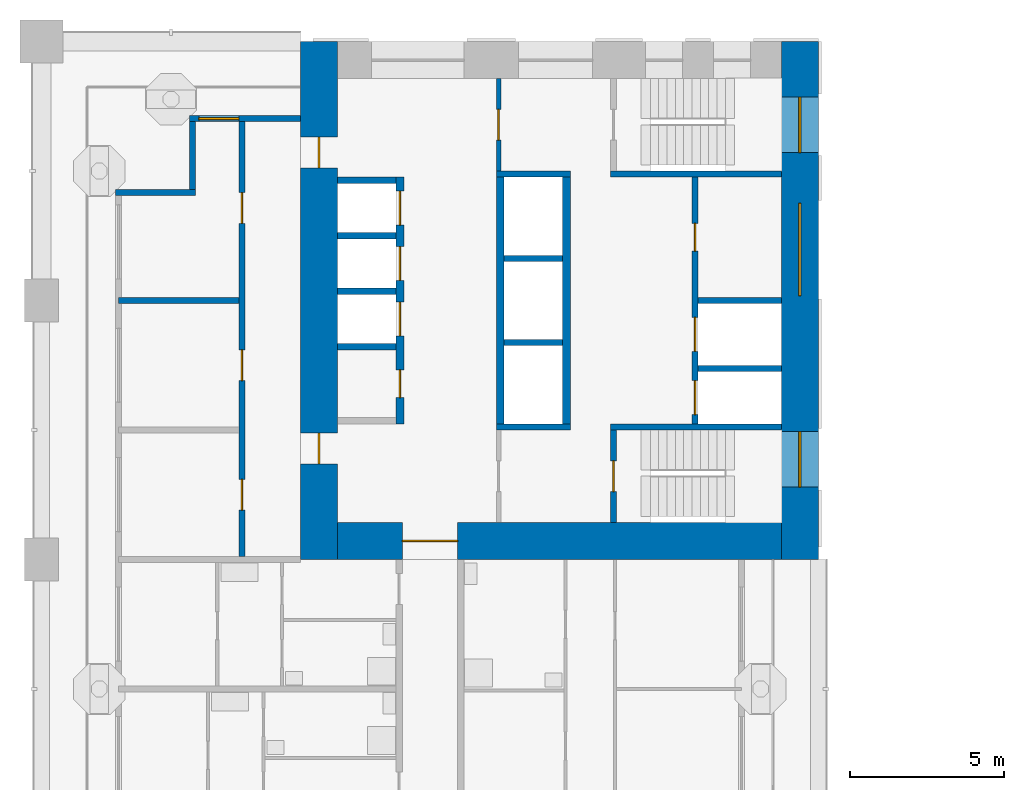
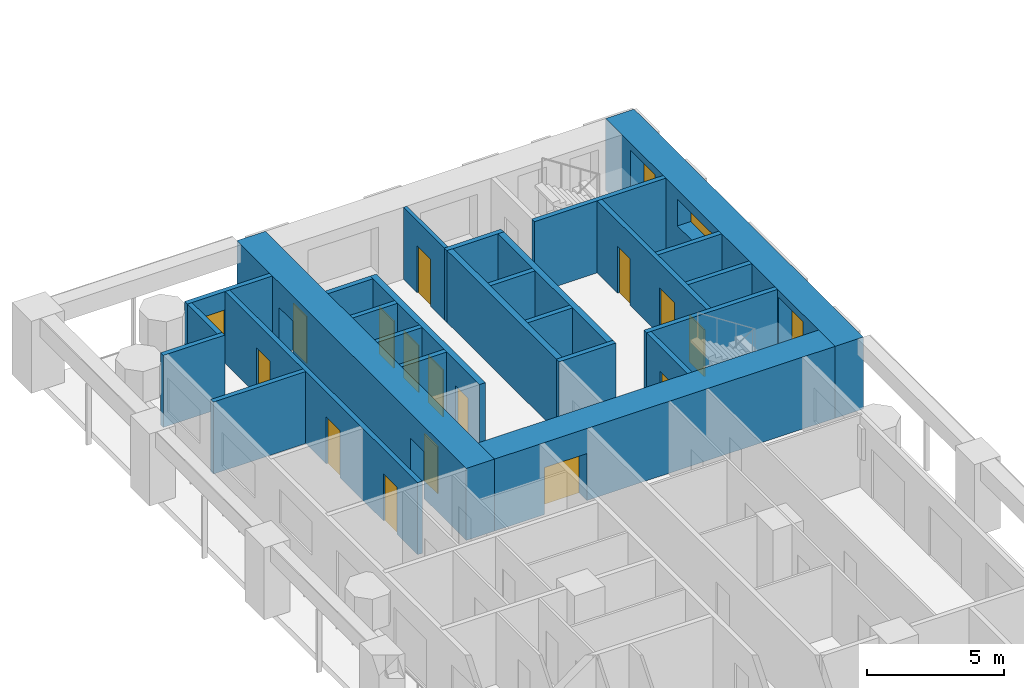
# One storey, part 9 of 23: 26 walls, 15 doors, 4 windows, 19 openings.
"""IFC4 building model written with IfcOpenShell, lengths in metres."""

import ifcopenshell
import ifcopenshell.guid

model = None  # the IFC model being written
_history = None  # IfcOwnerHistory: only IFC2X3 demands one
_inside = {}  # id of a spatial element -> (the spatial element, [elements in it])
_under = {}  # id of a project, library or spatial element -> (it, [spatial elements below it])
_declared = {}  # id of a project -> (the project, [libraries it declares])
_typed = {}  # id of a type object -> (the type object, [elements of that type])
_made_of = {}  # id of a material, layer set ... -> (it, [elements and type objects made of it])


def new_model(schema):
    """Start an empty IFC model of exactly this schema.

    Asked for "IFC4X3", IfcOpenShell would pick the latest addendum, in which some entities
    have other attributes; the version numbers below select the first issue.
    IFC2X3 requires an IfcOwnerHistory on every rooted entity: one is made here for all.
    """
    global model, _history
    if schema == "IFC4X3":
        model = ifcopenshell.file(schema_version=(4, 3, 0, 0))
    else:
        model = ifcopenshell.file(schema=schema)
    _inside.clear()
    _under.clear()
    _declared.clear()
    _typed.clear()
    _made_of.clear()
    _history = None
    if model.schema == "IFC2X3":
        org = make("IfcOrganization", Name="unknown")
        user = make(
            "IfcPersonAndOrganization",
            ThePerson=make("IfcPerson", FamilyName="unknown"),
            TheOrganization=org,
        )
        app = make(
            "IfcApplication",
            ApplicationDeveloper=org,
            Version="unknown",
            ApplicationFullName="unknown",
            ApplicationIdentifier="unknown",
        )
        _history = make(
            "IfcOwnerHistory",
            OwningUser=user,
            OwningApplication=app,
            ChangeAction="ADDED",
            CreationDate=0,
        )
    return model


def make(cls, **values):
    """One entity of the class cls with the attributes given. An attribute that is None is left unset."""
    return model.create_entity(
        cls, **{name: value for name, value in values.items() if value is not None}
    )


def rooted(cls, **values):
    """An entity with a GlobalId (a new one), such as an element, a storey or a relation."""
    return make(cls, GlobalId=ifcopenshell.guid.new(), OwnerHistory=_history, **values)


def si_unit(unit_type, name, prefix=None):
    """IfcSIUnit, for example si_unit("LENGTHUNIT", "METRE", prefix="MILLI")."""
    return make("IfcSIUnit", UnitType=unit_type, Prefix=prefix, Name=name)


def assignment(units):
    """IfcUnitAssignment: the units of a project."""
    return None if units is None else make("IfcUnitAssignment", Units=units)


def point(xyz):
    """IfcCartesianPoint."""
    return None if xyz is None else make("IfcCartesianPoint", Coordinates=xyz)


def direction(xyz):
    """IfcDirection."""
    return None if xyz is None else make("IfcDirection", DirectionRatios=xyz)


def frame(location, z_axis=None, x_axis=None):
    """IfcAxis2Placement3D, a coordinate frame: its origin and axes. An axis left out is left unset."""
    return make(
        "IfcAxis2Placement3D",
        Location=point(location),
        Axis=direction(z_axis),
        RefDirection=direction(x_axis),
    )


def frame_2d(location, x_axis=None):
    """IfcAxis2Placement2D, a coordinate frame in the plane: its origin and x axis."""
    return make(
        "IfcAxis2Placement2D", Location=point(location), RefDirection=direction(x_axis)
    )


def origin():
    """The frame at (0, 0, 0) with its axes left unset."""
    return frame((0.0, 0.0, 0.0))


def place(relative_to, where):
    """IfcLocalPlacement: puts the frame where relative to a parent placement (None: the world)."""
    return make(
        "IfcLocalPlacement", PlacementRelTo=relative_to, RelativePlacement=where
    )


def context(
    kind, dimensions, precision=None, world=None, true_north=None, identifier=None
):
    """IfcGeometricRepresentationContext, for example the 3D "Model" context."""
    return make(
        "IfcGeometricRepresentationContext",
        ContextIdentifier=identifier,
        ContextType=kind,
        CoordinateSpaceDimension=dimensions,
        Precision=precision,
        WorldCoordinateSystem=world,
        TrueNorth=true_north,
    )


def subcontext(parent, identifier, kind, view, scale=None):
    """IfcGeometricRepresentationSubContext, for example "Body" below "Model"."""
    return make(
        "IfcGeometricRepresentationSubContext",
        ContextIdentifier=identifier,
        ContextType=kind,
        ParentContext=parent,
        TargetScale=scale,
        TargetView=view,
    )


def project(units=None, contexts=None):
    """IfcProject with its units and contexts."""
    return rooted(
        "IfcProject",
        Name="project",
        RepresentationContexts=contexts,
        UnitsInContext=assignment(units),
    )


def spatial(cls, under=None, at=None, **own):
    """A site, building, storey or space (cls), placed at a placement, below another one or the project."""
    s = rooted(cls, ObjectPlacement=at, **own)
    if under is not None:
        _under.setdefault(under.id(), (under, []))[1].append(s)
    return s


def profile(cls, at=None, kind="AREA", **sizes):
    """A parametric profile (cls). Its sizes go by their IFC names, for example OverallWidth=200.0."""
    return make(cls, ProfileType=kind, Position=at, **sizes)


def rectangle(**sizes):
    """IfcRectangleProfileDef."""
    return profile("IfcRectangleProfileDef", **sizes)


def extrude(swept, where, along, depth):
    """IfcExtrudedAreaSolid: the profile swept, set in the frame where, extruded along a direction by depth."""
    return make(
        "IfcExtrudedAreaSolid",
        SweptArea=swept,
        Position=where,
        ExtrudedDirection=direction(along),
        Depth=depth,
    )


def shape(context_of_items, identifier, shape_type, items):
    """IfcShapeRepresentation: the items that make up one representation, for example the "Body"."""
    return make(
        "IfcShapeRepresentation",
        ContextOfItems=context_of_items,
        RepresentationIdentifier=identifier,
        RepresentationType=shape_type,
        Items=items,
    )


def material(Name=None, Category=None):
    """IfcMaterial."""
    return make("IfcMaterial", Name=Name, Category=Category)


def layer(
    of_material, thickness, ventilated=None, Name=None, Category=None, Priority=None
):
    """IfcMaterialLayer: one layer of a wall or slab, of a material (None: an air gap)."""
    return make(
        "IfcMaterialLayer",
        Material=of_material,
        LayerThickness=thickness,
        IsVentilated=ventilated,
        Name=Name,
        Category=Category,
        Priority=Priority,
    )


def layer_set(layers, Name=None):
    """IfcMaterialLayerSet."""
    return make("IfcMaterialLayerSet", MaterialLayers=layers, LayerSetName=Name)


def made_of(thing, what):
    """Note that an element or type object is made of a material, layer set ...; save() writes the relation."""
    if what is not None:
        _made_of.setdefault(what.id(), (what, []))[1].append(thing)
    return thing


def type_object(cls, material=None, **own):
    """A type object (cls), such as IfcWallType, which elements share."""
    return made_of(rooted(cls, **own), material)


def element(
    cls,
    number,
    at=None,
    inside=None,
    cuts=None,
    type_object=None,
    material=None,
    context=None,
    identifier="Body",
    shape_type=None,
    held_by="IfcProductDefinitionShape",
    body=None,
    shapes=None,
    **own,
):
    """One element of the class cls, such as IfcWall. Its Tag is "e" and its number.

    at: its placement. inside: the storey or other place that contains it. cuts: it is an
    opening in that element (IfcRelVoidsElement). A single representation is given by context,
    identifier, shape_type and body (its items); several are given by shapes. held_by: the class
    of the entity that holds the representations. save() writes the other relations.
    """
    e = rooted(cls, Tag="e%d" % number, ObjectPlacement=at, **own)
    if body is not None:
        shapes = [shape(context, identifier, shape_type, body)]
    if shapes is not None:
        e.Representation = make(held_by, Representations=shapes)
    if inside is not None:
        _inside.setdefault(inside.id(), (inside, []))[1].append(e)
    if cuts is not None:
        rooted(
            "IfcRelVoidsElement", RelatingBuildingElement=cuts, RelatedOpeningElement=e
        )
    if type_object is not None:
        _typed.setdefault(type_object.id(), (type_object, []))[1].append(e)
    return made_of(e, material)


def fill(opening, filler):
    """IfcRelFillsElement: the door or window that sits in an opening."""
    return rooted(
        "IfcRelFillsElement",
        RelatingOpeningElement=opening,
        RelatedBuildingElement=filler,
    )


def aggregate(whole, parts):
    """IfcRelAggregates: a whole, such as a stair, and the parts it consists of."""
    return rooted("IfcRelAggregates", RelatingObject=whole, RelatedObjects=parts)


def save(model, path):
    """Write the relations noted so far, then the file.

    IfcRelAggregates (storeys below a building ...), IfcRelContainedInSpatialStructure (elements
    in a storey), IfcRelDefinesByType, IfcRelAssociatesMaterial and IfcRelDeclares: one each for
    every whole, place, type object, material and project.
    """
    for whole, parts in _under.values():
        aggregate(whole, parts)
    for where, things in _inside.values():
        rooted(
            "IfcRelContainedInSpatialStructure",
            RelatedElements=things,
            RelatingStructure=where,
        )
    for kind, things in _typed.values():
        rooted("IfcRelDefinesByType", RelatedObjects=things, RelatingType=kind)
    for what, things in _made_of.values():
        rooted("IfcRelAssociatesMaterial", RelatedObjects=things, RelatingMaterial=what)
    for by, libraries in _declared.values():
        rooted("IfcRelDeclares", RelatingContext=by, RelatedDefinitions=libraries)
    model.write(path)


model = new_model("IFC4")

# Units and contexts
model_context = context("Model", 3, precision=1e-05, world=origin(), true_north=direction((0.0, 1.0)))
body_context = subcontext(model_context, "Body", "Model", "MODEL_VIEW")
ifc_project = project(units=[si_unit("LENGTHUNIT", "METRE"), si_unit("AREAUNIT", "SQUARE_METRE"), si_unit("VOLUMEUNIT", "CUBIC_METRE"), si_unit("PLANEANGLEUNIT", "RADIAN"), si_unit("MASSUNIT", "GRAM", prefix="KILO")], contexts=[model_context])

# Site, building, storey
site_placement = place(None, origin())
site = spatial("IfcSite", under=ifc_project, at=site_placement, CompositionType="ELEMENT")
building_placement = place(site_placement, origin())
building = spatial("IfcBuilding", under=site, at=building_placement, Name="Vermilion Gate Residences", CompositionType="ELEMENT")
storey_placement = place(building_placement, frame((0.0, 0.0, 25.199951171875)))
storey = spatial("IfcBuildingStorey", under=building, at=storey_placement, Name="L04", CompositionType="ELEMENT", Elevation=25.199951171875)

# Wall, opening, door
ifc_material_1 = material(Name="Masonry blockwork", Category="masonry")
ifc_layer_1 = layer(ifc_material_1, 0.14990234375)
ifc_layer_set_1 = layer_set([ifc_layer_1], Name="BLOCKWORK PARTITION 150 EI 120")
wall_type_1 = type_object("IfcWallType", Name="BLOCKWORK PARTITION 150 EI 120", PredefinedType="PARTITIONING", material=ifc_layer_set_1)
wall_1_placement = place(storey_placement, frame((14.824951171875, 57.60009765625, 0.0), z_axis=(0.0, 0.0, 1.0), x_axis=(0.0, -1.0, 0.0)))
wall_1 = element("IfcWall", 1, at=wall_1_placement, inside=storey, type_object=wall_type_1, Name="Core room partition B04-VW-S", PredefinedType="PARTITIONING", context=body_context, shape_type="SweptSolid", body=[
    extrude(rectangle(XDim=3.0, YDim=0.14990234375, at=frame_2d((1.5, 0.0))), origin(), (0.0, 0.0, 1.0), 3.219970703125),
])
opening_1_placement = place(wall_1_placement, frame((1.0, 0.0, 0.0)))
opening_1 = element("IfcOpeningElement", 2, at=opening_1_placement, cuts=wall_1, Name="Opening DK04111", PredefinedType="OPENING", context=body_context, shape_type="SweptSolid", body=[
    extrude(rectangle(XDim=1.0, YDim=2.10009765625, at=frame_2d((0.5, 1.050048828125))), frame((0.0, 0.0849609375, 0.0), z_axis=(0.0, -1.0, 0.0), x_axis=(1.0, 0.0, 0.0)), (0.0, 0.0, 1.0), 0.169921875),
])
ifc_material_2 = material(Name="Steel", Category="steel")
door_type_1 = type_object("IfcDoorType", Name="FIRE DOOR FD60 1000 X 2100", OperationType="SINGLE_SWING_LEFT", PredefinedType="DOOR", material=ifc_material_2)
door_1_placement = place(opening_1_placement, frame((1.0, 0.0, 0.0), z_axis=(0.0, 0.0, 1.0), x_axis=(-1.0, 0.0, 0.0)))
door_1 = element("IfcDoor", 3, at=door_1_placement, inside=storey, type_object=door_type_1, Name="Stair vestibule door B04", OperationType="SINGLE_SWING_RIGHT", OverallHeight=2.10009765625, OverallWidth=1.0, PredefinedType="DOOR", context=body_context, shape_type="SweptSolid", body=[
    extrude(rectangle(XDim=1.0, YDim=2.10009765625, at=frame_2d((0.5, 1.050048828125))), frame((0.0, 0.02490234375, 0.0), z_axis=(0.0, -1.0, 0.0), x_axis=(1.0, 0.0, 0.0)), (0.0, 0.0, 1.0), 0.050048828125),
])
fill(opening_1, door_1)

# Wall, opening, window
ifc_material_3 = material(Name="Insulated steel stud wall with terracotta rainscreen", Category="masonry")
ifc_layer_2 = layer(ifc_material_3, 0.199951171875)
ifc_layer_set_2 = layer_set([ifc_layer_2], Name="EXTERNAL WALL 200 TERRACOTTA RAINSCREEN")
wall_type_2 = type_object("IfcWallType", Name="EXTERNAL WALL 200 TERRACOTTA RAINSCREEN", PredefinedType="SOLIDWALL", material=ifc_layer_set_2)
wall_2_placement = place(storey_placement, frame((8.39990234375, 56.300048828125, 0.0), z_axis=(0.0, 0.0, 1.0), x_axis=(-1.0, 0.0, 0.0)))
wall_2 = element("IfcWall", 4, at=wall_2_placement, inside=storey, type_object=wall_type_2, Name="External wall", PredefinedType="SOLIDWALL", context=body_context, shape_type="SweptSolid", body=[
    extrude(rectangle(XDim=3.599853515625, YDim=0.199951171875, at=frame_2d((1.7998046875, 0.0))), origin(), (0.0, 0.0, 1.0), 3.219970703125),
])
opening_2_placement = place(wall_2_placement, frame((2.0, 0.0, 0.89990234375)))
opening_2 = element("IfcOpeningElement", 5, at=opening_2_placement, cuts=wall_2, Name="Opening WE04001", PredefinedType="OPENING", context=body_context, shape_type="SweptSolid", body=[
    extrude(rectangle(XDim=1.300048828125, YDim=1.5, at=frame_2d((0.64990234375, 0.75))), frame((0.0, 0.10986328125, 0.0), z_axis=(0.0, -1.0, 0.0), x_axis=(1.0, 0.0, 0.0)), (0.0, 0.0, 1.0), 0.219970703125),
])
ifc_material_4 = material(Name="Aluminium and clear glass", Category="aluminium")
window_type_1 = type_object("IfcWindowType", Name="WINDOW 1300 X 1500", PartitioningType="SINGLE_PANEL", PredefinedType="WINDOW", material=ifc_material_4)
window_1_placement = place(opening_2_placement, origin())
window_1 = element("IfcWindow", 6, at=window_1_placement, inside=storey, type_object=window_type_1, Name="Window", OverallHeight=1.5, OverallWidth=1.300048828125, PartitioningType="SINGLE_PANEL", PredefinedType="WINDOW", context=body_context, shape_type="SweptSolid", body=[
    extrude(rectangle(XDim=1.300048828125, YDim=1.5, at=frame_2d((0.64990234375, 0.75))), frame((0.0, 0.030029296875, 0.0), z_axis=(0.0, -1.0, 0.0), x_axis=(1.0, 0.0, 0.0)), (0.0, 0.0, 1.0), 0.06005859375),
])
fill(opening_2, window_1)

# Walls
wall_3_placement = place(storey_placement, frame((4.89990234375, 56.199951171875, 0.0), z_axis=(0.0, 0.0, 1.0), x_axis=(0.0, -1.0, 0.0)))
element("IfcWall", 7, at=wall_3_placement, inside=storey, type_object=wall_type_2, Name="External wall", PredefinedType="SOLIDWALL", context=body_context, shape_type="SweptSolid", body=[
    extrude(rectangle(XDim=2.199951171875, YDim=0.199951171875, at=frame_2d((1.10009765625, 0.0))), origin(), (0.0, 0.0, 1.0), 3.219970703125),
])
wall_4_placement = place(storey_placement, frame((5.0, 53.89990234375, 0.0), z_axis=(0.0, 0.0, 1.0), x_axis=(-1.0, 0.0, 0.0)))
element("IfcWall", 8, at=wall_4_placement, inside=storey, type_object=wall_type_2, Name="External wall", PredefinedType="SOLIDWALL", context=body_context, shape_type="SweptSolid", body=[
    extrude(rectangle(XDim=2.60009765625, YDim=0.199951171875, at=frame_2d((1.300048828125, 0.0))), origin(), (0.0, 0.0, 1.0), 3.219970703125),
])
ifc_material_5 = material(Name="Fire-rated plasterboard on steel studs", Category="steel")
ifc_layer_3 = layer(ifc_material_5, 0.199951171875)
ifc_layer_set_3 = layer_set([ifc_layer_3], Name="PARTY WALL 200 EI 120")
wall_type_3 = type_object("IfcWallType", Name="PARTY WALL 200 EI 120", PredefinedType="PARTITIONING", material=ifc_layer_set_3)
wall_5_placement = place(storey_placement, frame((2.5, 50.39990234375, 0.0), z_axis=(0.0, 0.0, 1.0), x_axis=(1.0, 0.0, 0.0)))
element("IfcWall", 9, at=wall_5_placement, inside=storey, type_object=wall_type_3, Name="Party and corridor wall", PredefinedType="PARTITIONING", context=body_context, shape_type="SweptSolid", body=[
    extrude(rectangle(XDim=3.89990234375, YDim=0.199951171875, at=frame_2d((1.949951171875, 0.0))), origin(), (0.0, 0.0, 1.0), 3.219970703125),
])

# Wall, openings, doors
wall_6_placement = place(storey_placement, frame((6.5, 42.10009765625, 0.0), z_axis=(0.0, 0.0, 1.0), x_axis=(0.0, 1.0, 0.0)))
wall_6 = element("IfcWall", 10, at=wall_6_placement, inside=storey, type_object=wall_type_3, Name="Party and corridor wall", PredefinedType="PARTITIONING", context=body_context, shape_type="SweptSolid", body=[
    extrude(rectangle(XDim=14.199951171875, YDim=0.199951171875, at=frame_2d((7.10009765625, 0.0))), origin(), (0.0, 0.0, 1.0), 3.219970703125),
])
opening_3_placement = place(wall_6_placement, frame((1.5, 0.0, 0.0)))
opening_3 = element("IfcOpeningElement", 11, at=opening_3_placement, cuts=wall_6, Name="Opening DA04035", PredefinedType="OPENING", context=body_context, shape_type="SweptSolid", body=[
    extrude(rectangle(XDim=1.0, YDim=2.10009765625, at=frame_2d((0.5, 1.050048828125))), frame((0.0, 0.10986328125, 0.0), z_axis=(0.0, -1.0, 0.0), x_axis=(1.0, 0.0, 0.0)), (0.0, 0.0, 1.0), 0.219970703125),
])
opening_4_placement = place(wall_6_placement, frame((5.699951171875, 0.0, 0.0)))
opening_4 = element("IfcOpeningElement", 12, at=opening_4_placement, cuts=wall_6, Name="Opening DA04036", PredefinedType="OPENING", context=body_context, shape_type="SweptSolid", body=[
    extrude(rectangle(XDim=1.0, YDim=2.10009765625, at=frame_2d((0.5, 1.050048828125))), frame((0.0, 0.10986328125, 0.0), z_axis=(0.0, -1.0, 0.0), x_axis=(1.0, 0.0, 0.0)), (0.0, 0.0, 1.0), 0.219970703125),
])
opening_5_placement = place(wall_6_placement, frame((10.800048828125, 0.0, 0.0)))
opening_5 = element("IfcOpeningElement", 13, at=opening_5_placement, cuts=wall_6, Name="Opening DA04037", PredefinedType="OPENING", context=body_context, shape_type="SweptSolid", body=[
    extrude(rectangle(XDim=1.0, YDim=2.10009765625, at=frame_2d((0.5, 1.050048828125))), frame((0.0, 0.10986328125, 0.0), z_axis=(0.0, -1.0, 0.0), x_axis=(1.0, 0.0, 0.0)), (0.0, 0.0, 1.0), 0.219970703125),
])
ifc_material_6 = material(Name="Steel", Category="steel")
door_type_2 = type_object("IfcDoorType", Name="ENTRANCE DOOR 1000 X 2100 FD30", OperationType="SINGLE_SWING_LEFT", PredefinedType="DOOR", material=ifc_material_6)
door_2_placement = place(opening_3_placement, origin())
door_2 = element("IfcDoor", 14, at=door_2_placement, inside=storey, type_object=door_type_2, Name="Entrance door", OperationType="SINGLE_SWING_LEFT", OverallHeight=2.10009765625, OverallWidth=1.0, PredefinedType="DOOR", context=body_context, shape_type="SweptSolid", body=[
    extrude(rectangle(XDim=1.0, YDim=2.10009765625, at=frame_2d((0.5, 1.050048828125))), frame((0.0, 0.02490234375, 0.0), z_axis=(0.0, -1.0, 0.0), x_axis=(1.0, 0.0, 0.0)), (0.0, 0.0, 1.0), 0.050048828125),
])
fill(opening_3, door_2)
door_3_placement = place(opening_4_placement, origin())
door_3 = element("IfcDoor", 15, at=door_3_placement, inside=storey, type_object=door_type_2, Name="Entrance door", OperationType="SINGLE_SWING_RIGHT", OverallHeight=2.10009765625, OverallWidth=1.0, PredefinedType="DOOR", context=body_context, shape_type="SweptSolid", body=[
    extrude(rectangle(XDim=1.0, YDim=2.10009765625, at=frame_2d((0.5, 1.050048828125))), frame((0.0, 0.02490234375, 0.0), z_axis=(0.0, -1.0, 0.0), x_axis=(1.0, 0.0, 0.0)), (0.0, 0.0, 1.0), 0.050048828125),
])
fill(opening_4, door_3)
door_4_placement = place(opening_5_placement, origin())
door_4 = element("IfcDoor", 16, at=door_4_placement, inside=storey, type_object=door_type_2, Name="Entrance door", OperationType="SINGLE_SWING_RIGHT", OverallHeight=2.10009765625, OverallWidth=1.0, PredefinedType="DOOR", context=body_context, shape_type="SweptSolid", body=[
    extrude(rectangle(XDim=1.0, YDim=2.10009765625, at=frame_2d((0.5, 1.050048828125))), frame((0.0, 0.02490234375, 0.0), z_axis=(0.0, -1.0, 0.0), x_axis=(1.0, 0.0, 0.0)), (0.0, 0.0, 1.0), 0.050048828125),
])
fill(opening_5, door_4)

# Walls
ifc_material_7 = material(Name="Concrete C60", Category="concrete")
ifc_layer_4 = layer(ifc_material_7, 0.199951171875)
ifc_layer_set_4 = layer_set([ifc_layer_4], Name="RC CORE INTERNAL WALL 200 C60")
wall_type_4 = type_object("IfcWallType", Name="RC CORE INTERNAL WALL 200 C60", PredefinedType="SHEAR", material=ifc_layer_set_4)
for number, where, z_axis, x_axis, name in (
    (17, (9.60009765625, 54.300048828125, 0.0), (0.0, 0.0, 1.0), (1.0, 0.0, 0.0), "Core internal wall B04-LR-D0"),
    (18, (9.60009765625, 52.5, 0.0), (0.0, 0.0, 1.0), (1.0, 0.0, 0.0), "Core internal wall B04-LR-D1"),
    (19, (9.60009765625, 50.699951171875, 0.0), (0.0, 0.0, 1.0), (1.0, 0.0, 0.0), "Core internal wall B04-LR-D2"),
    (20, (9.60009765625, 48.89990234375, 0.0), (0.0, 0.0, 1.0), (1.0, 0.0, 0.0), "Core internal wall B04-LR-D3"),
    (21, (15.0, 51.7666015625, 0.0), (0.0, 0.0, 1.0), (1.0, 0.0, 0.0), "Core internal wall B04-HR-D1"),
    (22, (15.0, 49.033447265625, 0.0), (0.0, 0.0, 1.0), (1.0, 0.0, 0.0), "Core internal wall B04-HR-D2"),
):
    element("IfcWall", number, at=place(storey_placement, frame(where, z_axis=z_axis, x_axis=x_axis)), inside=storey, type_object=wall_type_4, Name=name, PredefinedType="SHEAR", context=body_context, shape_type="SweptSolid", body=[
        extrude(rectangle(XDim=1.89990234375, YDim=0.199951171875, at=frame_2d((0.949951171875, 0.0))), origin(), (0.0, 0.0, 1.0), 3.219970703125),
    ])
for number, where, z_axis, x_axis, name in (
    (23, (21.300048828125, 50.39990234375, 0.0), (0.0, 0.0, 1.0), (1.0, 0.0, 0.0), "Core internal wall B04-FF-D0"),
    (24, (21.300048828125, 48.199951171875, 0.0), (0.0, 0.0, 1.0), (1.0, 0.0, 0.0), "Core internal wall B04-FF-D1"),
):
    element("IfcWall", number, at=place(storey_placement, frame(where, z_axis=z_axis, x_axis=x_axis)), inside=storey, type_object=wall_type_4, Name=name, PredefinedType="SHEAR", context=body_context, shape_type="SweptSolid", body=[
        extrude(rectangle(XDim=2.699951171875, YDim=0.199951171875, at=frame_2d((1.35009765625, 0.0))), origin(), (0.0, 0.0, 1.0), 3.219970703125),
    ])

# Wall, openings, doors
wall_7_placement = place(storey_placement, frame((21.199951171875, 54.39990234375, 0.0), z_axis=(0.0, 0.0, 1.0), x_axis=(0.0, -1.0, 0.0)))
wall_7 = element("IfcWall", 25, at=wall_7_placement, inside=storey, type_object=wall_type_4, Name="Core internal wall B04-FF-F", PredefinedType="SHEAR", context=body_context, shape_type="SweptSolid", body=[
    extrude(rectangle(XDim=8.0, YDim=0.199951171875, at=frame_2d((4.0, 0.0))), origin(), (0.0, 0.0, 1.0), 3.219970703125),
])
opening_6_placement = place(wall_7_placement, frame((1.5, 0.0, 0.0)))
opening_6 = element("IfcOpeningElement", 26, at=opening_6_placement, cuts=wall_7, Name="Opening DK04108", PredefinedType="OPENING", context=body_context, shape_type="SweptSolid", body=[
    extrude(rectangle(XDim=0.89990234375, YDim=2.10009765625, at=frame_2d((0.449951171875, 1.050048828125))), frame((0.0, 0.10986328125, 0.0), z_axis=(0.0, -1.0, 0.0), x_axis=(1.0, 0.0, 0.0)), (0.0, 0.0, 1.0), 0.219970703125),
])
opening_7_placement = place(wall_7_placement, frame((4.550048828125, 0.0, 0.0)))
opening_7 = element("IfcOpeningElement", 27, at=opening_7_placement, cuts=wall_7, Name="Opening LD", PredefinedType="OPENING", context=body_context, shape_type="SweptSolid", body=[
    extrude(rectangle(XDim=1.10009765625, YDim=2.10009765625, at=frame_2d((0.550048828125, 1.050048828125))), frame((0.0, 0.10986328125, 0.0), z_axis=(0.0, -1.0, 0.0), x_axis=(1.0, 0.0, 0.0)), (0.0, 0.0, 1.0), 0.219970703125),
])
opening_8_placement = place(wall_7_placement, frame((6.60009765625, 0.0, 0.0)))
opening_8 = element("IfcOpeningElement", 28, at=opening_8_placement, cuts=wall_7, Name="Opening LD", PredefinedType="OPENING", context=body_context, shape_type="SweptSolid", body=[
    extrude(rectangle(XDim=1.10009765625, YDim=2.10009765625, at=frame_2d((0.550048828125, 1.050048828125))), frame((0.0, 0.10986328125, 0.0), z_axis=(0.0, -1.0, 0.0), x_axis=(1.0, 0.0, 0.0)), (0.0, 0.0, 1.0), 0.219970703125),
])
ifc_material_8 = material(Name="Stainless steel", Category="steel")
door_type_3 = type_object("IfcDoorType", Name="LIFT LANDING DOOR E60 1100 X 2100", OperationType="DOUBLE_DOOR_SLIDING", PredefinedType="DOOR", material=ifc_material_8)
door_5_placement = place(opening_7_placement, origin())
door_5 = element("IfcDoor", 29, at=door_5_placement, inside=storey, type_object=door_type_3, Name="Lift landing door LFB1", OperationType="DOUBLE_DOOR_SLIDING", OverallHeight=2.10009765625, OverallWidth=1.10009765625, PredefinedType="DOOR", context=body_context, shape_type="SweptSolid", body=[
    extrude(rectangle(XDim=1.10009765625, YDim=2.10009765625, at=frame_2d((0.550048828125, 1.050048828125))), frame((0.0, 0.02490234375, 0.0), z_axis=(0.0, -1.0, 0.0), x_axis=(1.0, 0.0, 0.0)), (0.0, 0.0, 1.0), 0.050048828125),
])
fill(opening_7, door_5)
door_6_placement = place(opening_8_placement, origin())
door_6 = element("IfcDoor", 30, at=door_6_placement, inside=storey, type_object=door_type_3, Name="Lift landing door LCB1", OperationType="DOUBLE_DOOR_SLIDING", OverallHeight=2.10009765625, OverallWidth=1.10009765625, PredefinedType="DOOR", context=body_context, shape_type="SweptSolid", body=[
    extrude(rectangle(XDim=1.10009765625, YDim=2.10009765625, at=frame_2d((0.550048828125, 1.050048828125))), frame((0.0, 0.02490234375, 0.0), z_axis=(0.0, -1.0, 0.0), x_axis=(1.0, 0.0, 0.0)), (0.0, 0.0, 1.0), 0.050048828125),
])
fill(opening_8, door_6)
ifc_material_9 = material(Name="Steel", Category="steel")
door_type_4 = type_object("IfcDoorType", Name="SERVICE ROOM DOOR FD60 900 X 2100", OperationType="SINGLE_SWING_LEFT", PredefinedType="DOOR", material=ifc_material_9)
door_7_placement = place(opening_6_placement, origin())
door_7 = element("IfcDoor", 31, at=door_7_placement, inside=storey, type_object=door_type_4, Name="Electrical riser B04", OperationType="SINGLE_SWING_LEFT", OverallHeight=2.10009765625, OverallWidth=0.89990234375, PredefinedType="DOOR", context=body_context, shape_type="SweptSolid", body=[
    extrude(rectangle(XDim=0.89990234375, YDim=2.10009765625, at=frame_2d((0.449951171875, 1.050048828125))), frame((0.0, 0.02490234375, 0.0), z_axis=(0.0, -1.0, 0.0), x_axis=(1.0, 0.0, 0.0)), (0.0, 0.0, 1.0), 0.050048828125),
])
fill(opening_6, door_7)

# Walls
wall_8_placement = place(storey_placement, frame((14.75, 54.5, 0.0), z_axis=(0.0, 0.0, 1.0), x_axis=(1.0, 0.0, 0.0)))
element("IfcWall", 32, at=wall_8_placement, inside=storey, type_object=wall_type_4, Name="Core internal wall B04-WDIV1", PredefinedType="SHEAR", context=body_context, shape_type="SweptSolid", body=[
    extrude(rectangle(XDim=2.39990234375, YDim=0.199951171875, at=frame_2d((1.199951171875, 0.0))), origin(), (0.0, 0.0, 1.0), 3.219970703125),
])
wall_9_placement = place(storey_placement, frame((18.449951171875, 54.5, 0.0), z_axis=(0.0, 0.0, 1.0), x_axis=(1.0, 0.0, 0.0)))
element("IfcWall", 33, at=wall_9_placement, inside=storey, type_object=wall_type_4, Name="Core internal wall B04-WDIV2", PredefinedType="SHEAR", context=body_context, shape_type="SweptSolid", body=[
    extrude(rectangle(XDim=5.550048828125, YDim=0.199951171875, at=frame_2d((2.77490234375, 0.0))), origin(), (0.0, 0.0, 1.0), 3.219970703125),
])
wall_10_placement = place(storey_placement, frame((14.75, 46.300048828125, 0.0), z_axis=(0.0, 0.0, 1.0), x_axis=(1.0, 0.0, 0.0)))
element("IfcWall", 34, at=wall_10_placement, inside=storey, type_object=wall_type_4, Name="Core internal wall B04-EDIV1", PredefinedType="SHEAR", context=body_context, shape_type="SweptSolid", body=[
    extrude(rectangle(XDim=2.39990234375, YDim=0.199951171875, at=frame_2d((1.199951171875, 0.0))), origin(), (0.0, 0.0, 1.0), 3.219970703125),
])
wall_11_placement = place(storey_placement, frame((18.449951171875, 46.300048828125, 0.0), z_axis=(0.0, 0.0, 1.0), x_axis=(1.0, 0.0, 0.0)))
element("IfcWall", 35, at=wall_11_placement, inside=storey, type_object=wall_type_4, Name="Core internal wall B04-EDIV2", PredefinedType="SHEAR", context=body_context, shape_type="SweptSolid", body=[
    extrude(rectangle(XDim=5.550048828125, YDim=0.199951171875, at=frame_2d((2.77490234375, 0.0))), origin(), (0.0, 0.0, 1.0), 3.219970703125),
])

# Wall, opening, door
wall_12_placement = place(storey_placement, frame((18.550048828125, 46.199951171875, 0.0), z_axis=(0.0, 0.0, 1.0), x_axis=(0.0, -1.0, 0.0)))
wall_12 = element("IfcWall", 36, at=wall_12_placement, inside=storey, type_object=wall_type_4, Name="Core internal wall B04-STE-S", PredefinedType="SHEAR", context=body_context, shape_type="SweptSolid", body=[
    extrude(rectangle(XDim=3.0, YDim=0.199951171875, at=frame_2d((1.5, 0.0))), origin(), (0.0, 0.0, 1.0), 3.219970703125),
])
opening_9_placement = place(wall_12_placement, frame((1.0, 0.0, 0.0)))
opening_9 = element("IfcOpeningElement", 37, at=opening_9_placement, cuts=wall_12, Name="Opening DK04114", PredefinedType="OPENING", context=body_context, shape_type="SweptSolid", body=[
    extrude(rectangle(XDim=1.0, YDim=2.10009765625, at=frame_2d((0.5, 1.050048828125))), frame((0.0, 0.10986328125, 0.0), z_axis=(0.0, -1.0, 0.0), x_axis=(1.0, 0.0, 0.0)), (0.0, 0.0, 1.0), 0.219970703125),
])
door_8_placement = place(opening_9_placement, origin())
door_8 = element("IfcDoor", 38, at=door_8_placement, inside=storey, type_object=door_type_1, Name="Stair door B04", OperationType="SINGLE_SWING_LEFT", OverallHeight=2.10009765625, OverallWidth=1.0, PredefinedType="DOOR", context=body_context, shape_type="SweptSolid", body=[
    extrude(rectangle(XDim=1.0, YDim=2.10009765625, at=frame_2d((0.5, 1.050048828125))), frame((0.0, 0.02490234375, 0.0), z_axis=(0.0, -1.0, 0.0), x_axis=(1.0, 0.0, 0.0)), (0.0, 0.0, 1.0), 0.050048828125),
])
fill(opening_9, door_8)

# Wall, openings, doors
ifc_material_10 = material(Name="Concrete C80", Category="concrete")
ifc_layer_5 = layer(ifc_material_10, 1.199951171875)
ifc_layer_set_5 = layer_set([ifc_layer_5], Name="RC CORE WALL 1200 C80")
wall_type_5 = type_object("IfcWallType", Name="RC CORE WALL 1200 C80", PredefinedType="SHEAR", material=ifc_layer_set_5)
wall_13_placement = place(storey_placement, frame((9.0, 58.800048828125, 0.0), z_axis=(0.0, 0.0, 1.0), x_axis=(0.0, -1.0, 0.0)))
wall_13 = element("IfcWall", 39, at=wall_13_placement, inside=storey, type_object=wall_type_5, Name="Core wall B04-OUT-B0", PredefinedType="SHEAR", context=body_context, shape_type="SweptSolid", body=[
    extrude(rectangle(XDim=16.800048828125, YDim=1.199951171875, at=frame_2d((8.39990234375, 0.0))), origin(), (0.0, 0.0, 1.0), 3.219970703125),
])
opening_10_placement = place(wall_13_placement, frame((3.10009765625, 0.0, 0.0)))
opening_10 = element("IfcOpeningElement", 40, at=opening_10_placement, cuts=wall_13, Name="Opening DK04101", PredefinedType="OPENING", context=body_context, shape_type="SweptSolid", body=[
    extrude(rectangle(XDim=1.0, YDim=2.10009765625, at=frame_2d((0.5, 1.050048828125))), frame((0.0, 0.60986328125, 0.0), z_axis=(0.0, -1.0, 0.0), x_axis=(1.0, 0.0, 0.0)), (0.0, 0.0, 1.0), 1.219970703125),
])
opening_11_placement = place(wall_13_placement, frame((12.699951171875, 0.0, 0.0)))
opening_11 = element("IfcOpeningElement", 41, at=opening_11_placement, cuts=wall_13, Name="Opening DK04102", PredefinedType="OPENING", context=body_context, shape_type="SweptSolid", body=[
    extrude(rectangle(XDim=1.0, YDim=2.10009765625, at=frame_2d((0.5, 1.050048828125))), frame((0.0, 0.60986328125, 0.0), z_axis=(0.0, -1.0, 0.0), x_axis=(1.0, 0.0, 0.0)), (0.0, 0.0, 1.0), 1.219970703125),
])
door_9_placement = place(opening_10_placement, origin())
door_9 = element("IfcDoor", 42, at=door_9_placement, inside=storey, type_object=door_type_1, Name="Core lobby side door B04", OperationType="SINGLE_SWING_RIGHT", OverallHeight=2.10009765625, OverallWidth=1.0, PredefinedType="DOOR", context=body_context, shape_type="SweptSolid", body=[
    extrude(rectangle(XDim=1.0, YDim=2.10009765625, at=frame_2d((0.5, 1.050048828125))), frame((0.0, 0.02490234375, 0.0), z_axis=(0.0, -1.0, 0.0), x_axis=(1.0, 0.0, 0.0)), (0.0, 0.0, 1.0), 0.050048828125),
])
fill(opening_10, door_9)
door_10_placement = place(opening_11_placement, origin())
door_10 = element("IfcDoor", 43, at=door_10_placement, inside=storey, type_object=door_type_1, Name="Core lobby side door B04", OperationType="SINGLE_SWING_LEFT", OverallHeight=2.10009765625, OverallWidth=1.0, PredefinedType="DOOR", context=body_context, shape_type="SweptSolid", body=[
    extrude(rectangle(XDim=1.0, YDim=2.10009765625, at=frame_2d((0.5, 1.050048828125))), frame((0.0, 0.02490234375, 0.0), z_axis=(0.0, -1.0, 0.0), x_axis=(1.0, 0.0, 0.0)), (0.0, 0.0, 1.0), 0.050048828125),
])
fill(opening_11, door_10)

# Wall, opening, door
wall_14_placement = place(storey_placement, frame((9.60009765625, 42.60009765625, 0.0), z_axis=(0.0, 0.0, 1.0), x_axis=(1.0, 0.0, 0.0)))
wall_14 = element("IfcWall", 44, at=wall_14_placement, inside=storey, type_object=wall_type_5, Name="Core wall B04-OUT-BK", PredefinedType="SHEAR", context=body_context, shape_type="SweptSolid", body=[
    extrude(rectangle(XDim=14.39990234375, YDim=1.199951171875, at=frame_2d((7.199951171875, 0.0))), origin(), (0.0, 0.0, 1.0), 3.219970703125),
])
opening_12_placement = place(wall_14_placement, frame((2.10009765625, 0.0, 0.0)))
opening_12 = element("IfcOpeningElement", 45, at=opening_12_placement, cuts=wall_14, Name="Opening DK04103", PredefinedType="OPENING", context=body_context, shape_type="SweptSolid", body=[
    extrude(rectangle(XDim=1.800048828125, YDim=2.10009765625, at=frame_2d((0.89990234375, 1.050048828125))), frame((0.0, 0.60986328125, 0.0), z_axis=(0.0, -1.0, 0.0), x_axis=(1.0, 0.0, 0.0)), (0.0, 0.0, 1.0), 1.219970703125),
])
ifc_material_11 = material(Name="Steel", Category="steel")
door_type_5 = type_object("IfcDoorType", Name="CORE LOBBY DOOR FD60 1800 X 2100", OperationType="DOUBLE_DOOR_SINGLE_SWING", PredefinedType="DOOR", material=ifc_material_11)
door_11_placement = place(opening_12_placement, origin())
door_11 = element("IfcDoor", 46, at=door_11_placement, inside=storey, type_object=door_type_5, Name="Core lobby door B04", OperationType="DOUBLE_DOOR_SINGLE_SWING", OverallHeight=2.10009765625, OverallWidth=1.800048828125, PredefinedType="DOOR", context=body_context, shape_type="SweptSolid", body=[
    extrude(rectangle(XDim=1.800048828125, YDim=2.10009765625, at=frame_2d((0.89990234375, 1.050048828125))), frame((0.0, 0.02490234375, 0.0), z_axis=(0.0, -1.0, 0.0), x_axis=(1.0, 0.0, 0.0)), (0.0, 0.0, 1.0), 0.050048828125),
])
fill(opening_12, door_11)

# Wall, openings, windows
ifc_material_12 = material(Name="Concrete C80 red-oxide pigmented", Category="concrete")
ifc_layer_6 = layer(ifc_material_12, 1.199951171875)
ifc_layer_set_6 = layer_set([ifc_layer_6], Name="RC CORE WALL 1200 C80 RED OXIDE")
wall_type_6 = type_object("IfcWallType", Name="RC CORE WALL 1200 C80 RED OXIDE", PredefinedType="SHEAR", material=ifc_layer_set_6)
wall_15_placement = place(storey_placement, frame((24.60009765625, 58.800048828125, 0.0), z_axis=(0.0, 0.0, 1.0), x_axis=(0.0, -1.0, 0.0)))
wall_15 = element("IfcWall", 47, at=wall_15_placement, inside=storey, type_object=wall_type_6, Name="Core wall B04-OUT-B1", PredefinedType="SHEAR", context=body_context, shape_type="SweptSolid", body=[
    extrude(rectangle(XDim=16.800048828125, YDim=1.199951171875, at=frame_2d((8.39990234375, 0.0))), origin(), (0.0, 0.0, 1.0), 3.219970703125),
])
opening_13_placement = place(wall_15_placement, frame((1.800048828125, 0.0, 0.5)))
opening_13 = element("IfcOpeningElement", 48, at=opening_13_placement, cuts=wall_15, Name="Opening WKB0401", PredefinedType="OPENING", context=body_context, shape_type="SweptSolid", body=[
    extrude(rectangle(XDim=1.800048828125, YDim=2.39990234375, at=frame_2d((0.89990234375, 1.199951171875))), frame((0.0, 0.60986328125, 0.0), z_axis=(0.0, -1.0, 0.0), x_axis=(1.0, 0.0, 0.0)), (0.0, 0.0, 1.0), 1.219970703125),
])
opening_14_placement = place(wall_15_placement, frame((5.25, 0.0, 1.60009765625)))
opening_14 = element("IfcOpeningElement", 49, at=opening_14_placement, cuts=wall_15, Name="Opening WKB0402", PredefinedType="OPENING", context=body_context, shape_type="SweptSolid", body=[
    extrude(rectangle(XDim=3.0, YDim=1.199951171875, at=frame_2d((1.5, 0.60009765625))), frame((0.0, 0.60986328125, 0.0), z_axis=(0.0, -1.0, 0.0), x_axis=(1.0, 0.0, 0.0)), (0.0, 0.0, 1.0), 1.219970703125),
])
opening_15_placement = place(wall_15_placement, frame((12.64990234375, 0.0, 0.5)))
opening_15 = element("IfcOpeningElement", 50, at=opening_15_placement, cuts=wall_15, Name="Opening WKB0403", PredefinedType="OPENING", context=body_context, shape_type="SweptSolid", body=[
    extrude(rectangle(XDim=1.800048828125, YDim=2.39990234375, at=frame_2d((0.89990234375, 1.199951171875))), frame((0.0, 0.60986328125, 0.0), z_axis=(0.0, -1.0, 0.0), x_axis=(1.0, 0.0, 0.0)), (0.0, 0.0, 1.0), 1.219970703125),
])
ifc_material_13 = material(Name="Aluminium frame with louvre blades", Category="aluminium")
window_type_2 = type_object("IfcWindowType", Name="CORE LOUVRE 3000 X 1200", PartitioningType="SINGLE_PANEL", PredefinedType="WINDOW", material=ifc_material_13)
window_2_placement = place(opening_14_placement, origin())
window_2 = element("IfcWindow", 51, at=window_2_placement, inside=storey, type_object=window_type_2, Name="Core louvre", OverallHeight=1.199951171875, OverallWidth=3.0, PartitioningType="SINGLE_PANEL", PredefinedType="WINDOW", context=body_context, shape_type="SweptSolid", body=[
    extrude(rectangle(XDim=3.0, YDim=1.199951171875, at=frame_2d((1.5, 0.60009765625))), frame((0.0, 0.030029296875, 0.0), z_axis=(0.0, -1.0, 0.0), x_axis=(1.0, 0.0, 0.0)), (0.0, 0.0, 1.0), 0.06005859375),
])
fill(opening_14, window_2)
ifc_material_14 = material(Name="Aluminium and clear glass", Category="aluminium")
window_type_3 = type_object("IfcWindowType", Name="CORE STAIR WINDOW 1800 X 2400", PartitioningType="SINGLE_PANEL", PredefinedType="WINDOW", material=ifc_material_14)
window_3_placement = place(opening_13_placement, origin())
window_3 = element("IfcWindow", 52, at=window_3_placement, inside=storey, type_object=window_type_3, Name="Core stair window", OverallHeight=2.39990234375, OverallWidth=1.800048828125, PartitioningType="SINGLE_PANEL", PredefinedType="WINDOW", context=body_context, shape_type="SweptSolid", body=[
    extrude(rectangle(XDim=1.800048828125, YDim=2.39990234375, at=frame_2d((0.89990234375, 1.199951171875))), frame((0.0, 0.030029296875, 0.0), z_axis=(0.0, -1.0, 0.0), x_axis=(1.0, 0.0, 0.0)), (0.0, 0.0, 1.0), 0.06005859375),
])
fill(opening_13, window_3)
window_4_placement = place(opening_15_placement, origin())
window_4 = element("IfcWindow", 53, at=window_4_placement, inside=storey, type_object=window_type_3, Name="Core stair window", OverallHeight=2.39990234375, OverallWidth=1.800048828125, PartitioningType="SINGLE_PANEL", PredefinedType="WINDOW", context=body_context, shape_type="SweptSolid", body=[
    extrude(rectangle(XDim=1.800048828125, YDim=2.39990234375, at=frame_2d((0.89990234375, 1.199951171875))), frame((0.0, 0.030029296875, 0.0), z_axis=(0.0, -1.0, 0.0), x_axis=(1.0, 0.0, 0.0)), (0.0, 0.0, 1.0), 0.06005859375),
])
fill(opening_15, window_4)

# Wall, openings, doors
ifc_material_15 = material(Name="Concrete C60", Category="concrete")
ifc_layer_7 = layer(ifc_material_15, 0.25)
ifc_layer_set_7 = layer_set([ifc_layer_7], Name="RC LIFT SHAFT WALL 250 C60")
wall_type_7 = type_object("IfcWallType", Name="RC LIFT SHAFT WALL 250 C60", PredefinedType="SHEAR", material=ifc_layer_set_7)
wall_16_placement = place(storey_placement, frame((11.625, 54.39990234375, 0.0), z_axis=(0.0, 0.0, 1.0), x_axis=(0.0, -1.0, 0.0)))
wall_16 = element("IfcWall", 54, at=wall_16_placement, inside=storey, type_object=wall_type_7, Name="Lift shaft wall B04-LR-F", PredefinedType="SHEAR", context=body_context, shape_type="SweptSolid", body=[
    extrude(rectangle(XDim=8.0, YDim=0.25, at=frame_2d((4.0, 0.0))), origin(), (0.0, 0.0, 1.0), 3.219970703125),
])
opening_16_placement = place(wall_16_placement, frame((0.449951171875, 0.0, 0.0)))
opening_16 = element("IfcOpeningElement", 55, at=opening_16_placement, cuts=wall_16, Name="Opening LD", PredefinedType="OPENING", context=body_context, shape_type="SweptSolid", body=[
    extrude(rectangle(XDim=1.10009765625, YDim=2.10009765625, at=frame_2d((0.550048828125, 1.050048828125))), frame((0.0, 0.135009765625, 0.0), z_axis=(0.0, -1.0, 0.0), x_axis=(1.0, 0.0, 0.0)), (0.0, 0.0, 1.0), 0.27001953125),
])
opening_17_placement = place(wall_16_placement, frame((2.25, 0.0, 0.0)))
opening_17 = element("IfcOpeningElement", 56, at=opening_17_placement, cuts=wall_16, Name="Opening LD", PredefinedType="OPENING", context=body_context, shape_type="SweptSolid", body=[
    extrude(rectangle(XDim=1.10009765625, YDim=2.10009765625, at=frame_2d((0.550048828125, 1.050048828125))), frame((0.0, 0.135009765625, 0.0), z_axis=(0.0, -1.0, 0.0), x_axis=(1.0, 0.0, 0.0)), (0.0, 0.0, 1.0), 0.27001953125),
])
opening_18_placement = place(wall_16_placement, frame((4.050048828125, 0.0, 0.0)))
opening_18 = element("IfcOpeningElement", 57, at=opening_18_placement, cuts=wall_16, Name="Opening LD", PredefinedType="OPENING", context=body_context, shape_type="SweptSolid", body=[
    extrude(rectangle(XDim=1.10009765625, YDim=2.10009765625, at=frame_2d((0.550048828125, 1.050048828125))), frame((0.0, 0.135009765625, 0.0), z_axis=(0.0, -1.0, 0.0), x_axis=(1.0, 0.0, 0.0)), (0.0, 0.0, 1.0), 0.27001953125),
])
opening_19_placement = place(wall_16_placement, frame((6.25, 0.0, 0.0)))
opening_19 = element("IfcOpeningElement", 58, at=opening_19_placement, cuts=wall_16, Name="Opening DK04107", PredefinedType="OPENING", context=body_context, shape_type="SweptSolid", body=[
    extrude(rectangle(XDim=0.89990234375, YDim=2.10009765625, at=frame_2d((0.449951171875, 1.050048828125))), frame((0.0, 0.135009765625, 0.0), z_axis=(0.0, -1.0, 0.0), x_axis=(1.0, 0.0, 0.0)), (0.0, 0.0, 1.0), 0.27001953125),
])
door_12_placement = place(opening_16_placement, origin())
door_12 = element("IfcDoor", 59, at=door_12_placement, inside=storey, type_object=door_type_3, Name="Lift landing door LRB1", OperationType="DOUBLE_DOOR_SLIDING", OverallHeight=2.10009765625, OverallWidth=1.10009765625, PredefinedType="DOOR", context=body_context, shape_type="SweptSolid", body=[
    extrude(rectangle(XDim=1.10009765625, YDim=2.10009765625, at=frame_2d((0.550048828125, 1.050048828125))), frame((0.0, 0.02490234375, 0.0), z_axis=(0.0, -1.0, 0.0), x_axis=(1.0, 0.0, 0.0)), (0.0, 0.0, 1.0), 0.050048828125),
])
fill(opening_16, door_12)
door_13_placement = place(opening_17_placement, origin())
door_13 = element("IfcDoor", 60, at=door_13_placement, inside=storey, type_object=door_type_3, Name="Lift landing door LRB2", OperationType="DOUBLE_DOOR_SLIDING", OverallHeight=2.10009765625, OverallWidth=1.10009765625, PredefinedType="DOOR", context=body_context, shape_type="SweptSolid", body=[
    extrude(rectangle(XDim=1.10009765625, YDim=2.10009765625, at=frame_2d((0.550048828125, 1.050048828125))), frame((0.0, 0.02490234375, 0.0), z_axis=(0.0, -1.0, 0.0), x_axis=(1.0, 0.0, 0.0)), (0.0, 0.0, 1.0), 0.050048828125),
])
fill(opening_17, door_13)
door_14_placement = place(opening_18_placement, origin())
door_14 = element("IfcDoor", 61, at=door_14_placement, inside=storey, type_object=door_type_3, Name="Lift landing door LRB3", OperationType="DOUBLE_DOOR_SLIDING", OverallHeight=2.10009765625, OverallWidth=1.10009765625, PredefinedType="DOOR", context=body_context, shape_type="SweptSolid", body=[
    extrude(rectangle(XDim=1.10009765625, YDim=2.10009765625, at=frame_2d((0.550048828125, 1.050048828125))), frame((0.0, 0.02490234375, 0.0), z_axis=(0.0, -1.0, 0.0), x_axis=(1.0, 0.0, 0.0)), (0.0, 0.0, 1.0), 0.050048828125),
])
fill(opening_18, door_14)
door_15_placement = place(opening_19_placement, frame((0.89990234375, 0.0, 0.0), z_axis=(0.0, 0.0, 1.0), x_axis=(-1.0, 0.0, 0.0)))
door_15 = element("IfcDoor", 62, at=door_15_placement, inside=storey, type_object=door_type_4, Name="Cleaner's store B04", OperationType="SINGLE_SWING_RIGHT", OverallHeight=2.10009765625, OverallWidth=0.89990234375, PredefinedType="DOOR", context=body_context, shape_type="SweptSolid", body=[
    extrude(rectangle(XDim=0.89990234375, YDim=2.10009765625, at=frame_2d((0.449951171875, 1.050048828125))), frame((0.0, 0.02490234375, 0.0), z_axis=(0.0, -1.0, 0.0), x_axis=(1.0, 0.0, 0.0)), (0.0, 0.0, 1.0), 0.050048828125),
])
fill(opening_19, door_15)

# Walls
for number, where, z_axis, x_axis, name in (
    (63, (14.875, 54.39990234375, 0.0), (0.0, 0.0, 1.0), (0.0, -1.0, 0.0), "Lift shaft wall B04-HR-F"),
    (64, (17.02490234375, 54.39990234375, 0.0), (0.0, 0.0, 1.0), (0.0, -1.0, 0.0), "Lift shaft wall B04-HR-B"),
):
    element("IfcWall", number, at=place(storey_placement, frame(where, z_axis=z_axis, x_axis=x_axis)), inside=storey, type_object=wall_type_7, Name=name, PredefinedType="SHEAR", context=body_context, shape_type="SweptSolid", body=[
        extrude(rectangle(XDim=8.0, YDim=0.25, at=frame_2d((4.0, 0.0))), origin(), (0.0, 0.0, 1.0), 3.219970703125),
    ])

save(model, "model.ifc")
